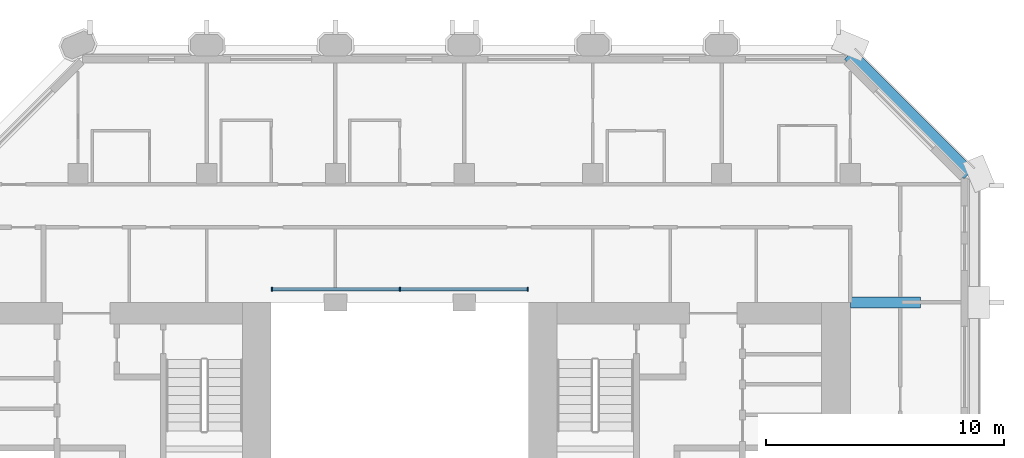
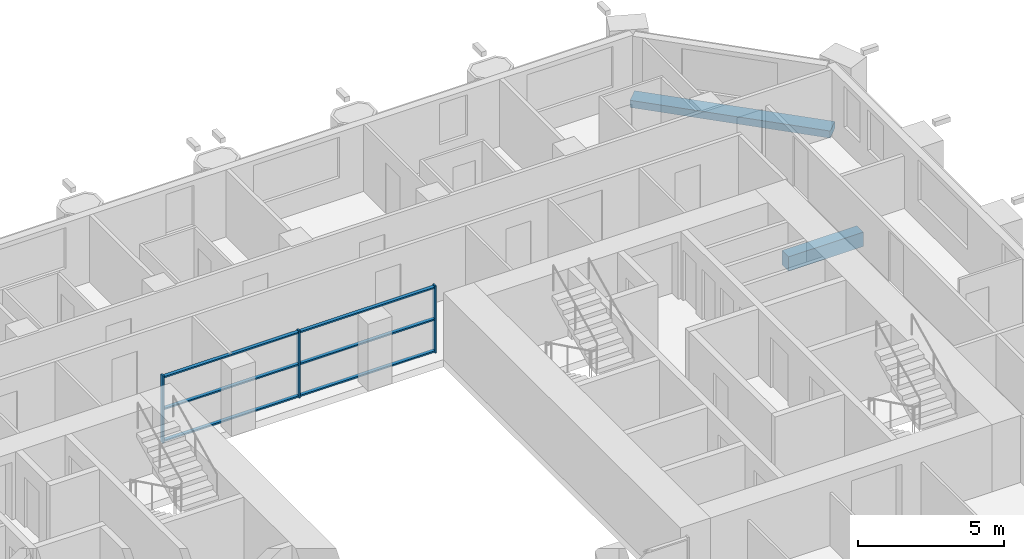
# One storey, part 4 of 12: 9 members, 2 beams, 1 element without a shape of its own.
"""IFC4 building model written with IfcOpenShell, lengths in metres."""

from ifc_helpers import new_model, si_unit, direction, frame, origin, origin_2d, place, context, subcontext, project, spatial, rectangle, extrude, material, material_profile, profile_set, type_object, element, aggregate, save


model = new_model("IFC4")

# Units and contexts
model_context = context("Model", 3, precision=1e-05, world=origin(), true_north=direction((0.0, 1.0)))
body_context = subcontext(model_context, "Body", "Model", "MODEL_VIEW")
ifc_project = project(units=[si_unit("LENGTHUNIT", "METRE"), si_unit("AREAUNIT", "SQUARE_METRE"), si_unit("VOLUMEUNIT", "CUBIC_METRE"), si_unit("PLANEANGLEUNIT", "RADIAN"), si_unit("MASSUNIT", "GRAM", prefix="KILO")], contexts=[model_context])

# Site, building, storey
site_placement = place(None, origin())
site = spatial("IfcSite", under=ifc_project, at=site_placement, CompositionType="ELEMENT")
building_placement = place(site_placement, origin())
building = spatial("IfcBuilding", under=site, at=building_placement, Name="Tabaq Tower and Sports Hall", CompositionType="ELEMENT")
storey_placement = place(building_placement, frame((0.0, 0.0, 172.60009765625)))
storey = spatial("IfcBuildingStorey", under=building, at=storey_placement, Name="L41", CompositionType="ELEMENT", Elevation=172.60009765625)

# Curtain wall, members
ifc_material_1 = material(Name="Aluminium alloy 6063-T6 framed glazing", Category="aluminium")
curtain_wall_type = type_object("IfcCurtainWallType", Name="CW1 curtain wall", PredefinedType="USERDEFINED", material=ifc_material_1)
curtain_wall_placement = place(storey_placement, origin())
curtain_wall = element("IfcCurtainWall", 1, at=curtain_wall_placement, inside=storey, type_object=curtain_wall_type, Name="Atrium glazing L41 N", ObjectType="ATRIUM ENCLOSURE", PredefinedType="USERDEFINED")
ifc_material_2 = material(Name="Aluminium alloy 6063-T6", Category="aluminium")
ifc_material_profile_1 = material_profile(ifc_material_2, rectangle(XDim=0.159912109375, YDim=0.06005859375, at=origin_2d()), Name="MULLION 160x60")
ifc_profile_set_1 = profile_set([ifc_material_profile_1], Name="Aluminium alloy 6063-T6")
member_type_1 = type_object("IfcMemberType", Name="CW1 mullion 160x60", PredefinedType="MULLION", material=ifc_profile_set_1)
member_1_placement = place(storey_placement, frame((18.929931640625, 32.949951171875, 0.0), z_axis=(0.0, 0.0, 1.0), x_axis=(0.0, 1.0, 0.0)))
member_1 = element("IfcMember", 2, at=member_1_placement, type_object=member_type_1, Name="CW1 mullion 1", PredefinedType="MULLION", context=body_context, shape_type="SweptSolid", body=[
    extrude(rectangle(XDim=0.159912109375, YDim=0.06005859375, at=origin_2d()), origin(), (0.0, 0.0, 1.0), 2.7998046875),
])
member_2_placement = place(storey_placement, frame((24.300048828125, 32.949951171875, 0.0), z_axis=(0.0, 0.0, 1.0), x_axis=(0.0, 1.0, 0.0)))
member_2 = element("IfcMember", 3, at=member_2_placement, type_object=member_type_1, Name="CW1 mullion 2", PredefinedType="MULLION", context=body_context, shape_type="SweptSolid", body=[
    extrude(rectangle(XDim=0.159912109375, YDim=0.06005859375, at=origin_2d()), origin(), (0.0, 0.0, 1.0), 2.7998046875),
])
member_3_placement = place(storey_placement, frame((29.669921875, 32.949951171875, 0.0), z_axis=(0.0, 0.0, 1.0), x_axis=(0.0, 1.0, 0.0)))
member_3 = element("IfcMember", 4, at=member_3_placement, type_object=member_type_1, Name="CW1 mullion 3", PredefinedType="MULLION", context=body_context, shape_type="SweptSolid", body=[
    extrude(rectangle(XDim=0.159912109375, YDim=0.06005859375, at=origin_2d()), origin(), (0.0, 0.0, 1.0), 2.7998046875),
])
ifc_material_3 = material(Name="Aluminium alloy 6063-T6", Category="aluminium")
ifc_material_profile_2 = material_profile(ifc_material_3, rectangle(XDim=0.139892578125, YDim=0.06005859375, at=origin_2d()), Name="TRANSOM 140x60")
ifc_profile_set_2 = profile_set([ifc_material_profile_2], Name="Aluminium alloy 6063-T6")
member_type_2 = type_object("IfcMemberType", Name="CW1 transom 140x60", PredefinedType="USERDEFINED", material=ifc_profile_set_2)
member_4_placement = place(storey_placement, frame((18.9599609375, 32.949951171875, 0.06982421875), z_axis=(1.0, 0.0, 0.0), x_axis=(0.0, 1.0, 0.0)))
member_4 = element("IfcMember", 5, at=member_4_placement, type_object=member_type_2, Name="CW1 transom 1.1", ObjectType="TRANSOM", PredefinedType="USERDEFINED", context=body_context, shape_type="SweptSolid", body=[
    extrude(rectangle(XDim=0.139892578125, YDim=0.06005859375, at=origin_2d()), origin(), (0.0, 0.0, 1.0), 5.31005859375),
])
member_5_placement = place(storey_placement, frame((18.9599609375, 32.949951171875, 1.39990234375), z_axis=(1.0, 0.0, 0.0), x_axis=(0.0, 1.0, 0.0)))
member_5 = element("IfcMember", 6, at=member_5_placement, type_object=member_type_2, Name="CW1 transom 1.2", ObjectType="TRANSOM", PredefinedType="USERDEFINED", context=body_context, shape_type="SweptSolid", body=[
    extrude(rectangle(XDim=0.139892578125, YDim=0.06005859375, at=origin_2d()), origin(), (0.0, 0.0, 1.0), 5.31005859375),
])
member_6_placement = place(storey_placement, frame((18.9599609375, 32.949951171875, 2.72998046875), z_axis=(1.0, 0.0, 0.0), x_axis=(0.0, 1.0, 0.0)))
member_6 = element("IfcMember", 7, at=member_6_placement, type_object=member_type_2, Name="CW1 transom 1.3", ObjectType="TRANSOM", PredefinedType="USERDEFINED", context=body_context, shape_type="SweptSolid", body=[
    extrude(rectangle(XDim=0.139892578125, YDim=0.06005859375, at=origin_2d()), origin(), (0.0, 0.0, 1.0), 5.31005859375),
])
member_7_placement = place(storey_placement, frame((24.330078125, 32.949951171875, 0.06982421875), z_axis=(1.0, 0.0, 0.0), x_axis=(0.0, 1.0, 0.0)))
member_7 = element("IfcMember", 8, at=member_7_placement, type_object=member_type_2, Name="CW1 transom 2.1", ObjectType="TRANSOM", PredefinedType="USERDEFINED", context=body_context, shape_type="SweptSolid", body=[
    extrude(rectangle(XDim=0.139892578125, YDim=0.06005859375, at=origin_2d()), origin(), (0.0, 0.0, 1.0), 5.309814453125),
])
member_8_placement = place(storey_placement, frame((24.330078125, 32.949951171875, 1.39990234375), z_axis=(1.0, 0.0, 0.0), x_axis=(0.0, 1.0, 0.0)))
member_8 = element("IfcMember", 9, at=member_8_placement, type_object=member_type_2, Name="CW1 transom 2.2", ObjectType="TRANSOM", PredefinedType="USERDEFINED", context=body_context, shape_type="SweptSolid", body=[
    extrude(rectangle(XDim=0.139892578125, YDim=0.06005859375, at=origin_2d()), origin(), (0.0, 0.0, 1.0), 5.309814453125),
])
member_9_placement = place(storey_placement, frame((24.330078125, 32.949951171875, 2.72998046875), z_axis=(1.0, 0.0, 0.0), x_axis=(0.0, 1.0, 0.0)))
member_9 = element("IfcMember", 10, at=member_9_placement, type_object=member_type_2, Name="CW1 transom 2.3", ObjectType="TRANSOM", PredefinedType="USERDEFINED", context=body_context, shape_type="SweptSolid", body=[
    extrude(rectangle(XDim=0.139892578125, YDim=0.06005859375, at=origin_2d()), origin(), (0.0, 0.0, 1.0), 5.309814453125),
])
aggregate(curtain_wall, [member_1, member_2, member_3, member_4, member_5, member_6, member_7, member_8, member_9])

# Beams
ifc_material_4 = material(Name="Concrete C40/50", Category="concrete")
ifc_material_profile_3 = material_profile(ifc_material_4, rectangle(XDim=0.449951171875, YDim=0.60009765625, at=origin_2d()), Name="CB 450x600")
ifc_profile_set_3 = profile_set([ifc_material_profile_3], Name="Concrete C40/50")
beam_type_1 = type_object("IfcBeamType", Name="PT CANTILEVER BEAM CB 450x600 C40/50", PredefinedType="BEAM", material=ifc_profile_set_3)
beam_1_placement = place(storey_placement, frame((46.14990234375, 32.39990234375, -0.60009765625), z_axis=(-1.0, 0.0, 0.0), x_axis=(0.0, -1.0, 0.0)))
element("IfcBeam", 11, at=beam_1_placement, inside=storey, type_object=beam_type_1, Name="Cantilever Beam L41 E6 span 1", PredefinedType="BEAM", context=body_context, shape_type="SweptSolid", body=[
    extrude(rectangle(XDim=0.449951171875, YDim=0.60009765625, at=origin_2d()), origin(), (0.0, 0.0, 1.0), 2.949951171875),
])
ifc_material_5 = material(Name="Concrete C40/50", Category="concrete")
ifc_material_profile_4 = material_profile(ifc_material_5, rectangle(XDim=0.60009765625, YDim=0.300048828125, at=origin_2d()), Name="EB 600x300")
ifc_profile_set_4 = profile_set([ifc_material_profile_4], Name="Concrete C40/50")
beam_type_2 = type_object("IfcBeamType", Name="PT EDGE BEAM EB 600x300 C40/50", PredefinedType="SPANDREL", material=ifc_profile_set_4)
beam_2_placement = place(storey_placement, frame((48.1767578125, 37.799072265625, -0.150146484375), z_axis=(-0.707124002701, 0.707089559252, 0.0), x_axis=(-0.707089559252, -0.707124002701, 0.0)))
element("IfcBeam", 12, at=beam_2_placement, inside=storey, type_object=beam_type_2, Name="Edge Beam L41 4", PredefinedType="SPANDREL", context=body_context, shape_type="SweptSolid", body=[
    extrude(rectangle(XDim=0.60009765625, YDim=0.300048828125, at=origin_2d()), origin(), (0.0, 0.0, 1.0), 7.088134765625),
])

save(model, "model.ifc")
